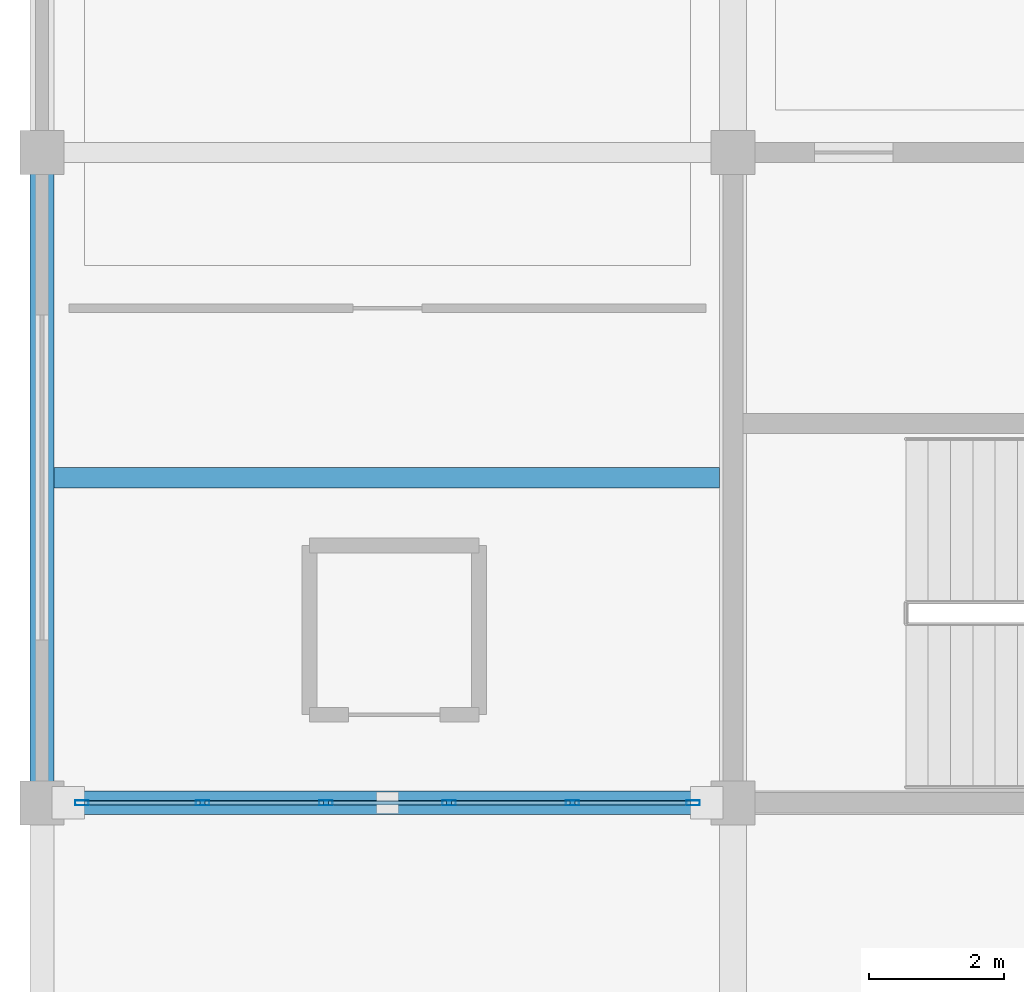
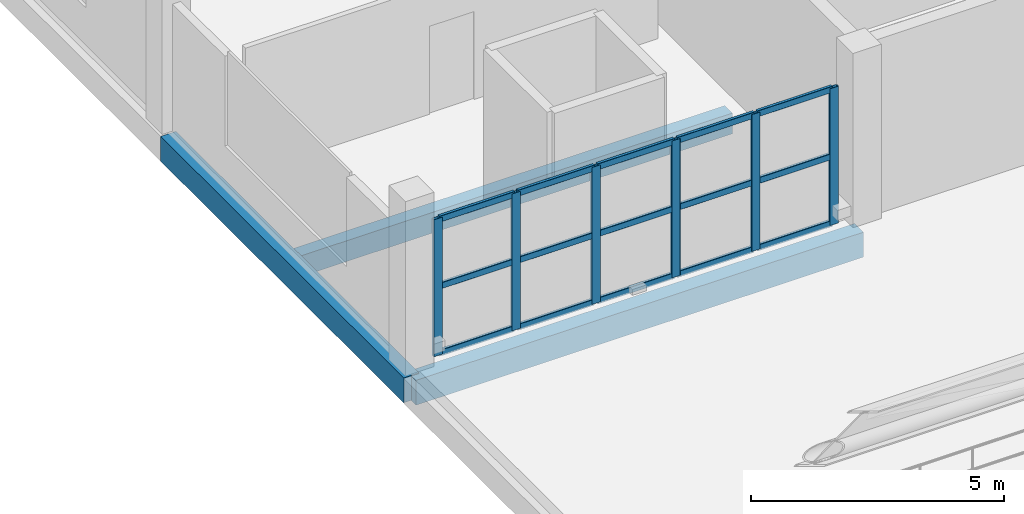
# One storey, part 32 of 135: 21 members, 3 beams, 1 element without a shape of its own.
"""IFC4 building model written with IfcOpenShell, lengths in metres."""

from ifc_helpers import new_model, si_unit, direction, frame, origin, origin_2d, place, context, subcontext, project, spatial, rectangle, hollow_rectangle, extrude, material, material_profile, profile_set, type_object, element, aggregate, save


model = new_model("IFC4")

# Units and contexts
model_context = context("Model", 3, precision=1e-05, world=origin(), true_north=direction((0.0, 1.0)))
body_context = subcontext(model_context, "Body", "Model", "MODEL_VIEW")
ifc_project = project(units=[si_unit("LENGTHUNIT", "METRE"), si_unit("AREAUNIT", "SQUARE_METRE"), si_unit("VOLUMEUNIT", "CUBIC_METRE"), si_unit("PLANEANGLEUNIT", "RADIAN"), si_unit("MASSUNIT", "GRAM", prefix="KILO")], contexts=[model_context])

# Site, building, storey
site_placement = place(None, origin())
site = spatial("IfcSite", under=ifc_project, at=site_placement, CompositionType="ELEMENT")
building_placement = place(site_placement, origin())
building = spatial("IfcBuilding", under=site, at=building_placement, Name="Brelvane Convention Centre", CompositionType="ELEMENT")
storey_placement = place(building_placement, frame((0.0, 0.0, 15.0)))
storey = spatial("IfcBuildingStorey", under=building, at=storey_placement, Name="L03", CompositionType="ELEMENT", Elevation=15.0)

# Curtain wall, members
ifc_material_1 = material(Name="Anodised Aluminium Alloy 6063-T6", Category="aluminium")
curtain_wall_type = type_object("IfcCurtainWallType", Name="Curtain Wall CW-COURT", PredefinedType="USERDEFINED", material=ifc_material_1)
curtain_wall_placement = place(storey_placement, origin())
curtain_wall = element("IfcCurtainWall", 1, at=curtain_wall_placement, inside=storey, type_object=curtain_wall_type, Name="Curtain Wall CW-COURT L03-V4S-01", ObjectType="UNITISED", PredefinedType="USERDEFINED")
ifc_material_2 = material(Name="Anodised Aluminium Alloy 6063-T6", Category="aluminium")
ifc_material_profile_1 = material_profile(ifc_material_2, hollow_rectangle(XDim=0.074951171875, YDim=0.199951171875, WallThickness=0.0048828125, InnerFilletRadius=0.0048828125, OuterFilletRadius=0.010009765625, at=origin_2d()), Name="ALU-M 200x75x5.0")
ifc_profile_set_1 = profile_set([ifc_material_profile_1], Name="Anodised Aluminium Alloy 6063-T6")
member_type_1 = type_object("IfcMemberType", Name="Curtain Mullion CW-M2", PredefinedType="MULLION", material=ifc_profile_set_1)
member_1_placement = place(storey_placement, frame((0.58740234375, 109.199951171875, 0.0), z_axis=(0.0, 0.0, 1.0), x_axis=(0.0, 1.0, 0.0)))
member_1 = element("IfcMember", 2, at=member_1_placement, type_object=member_type_1, Name="CW-COURT mullion 1", PredefinedType="MULLION", context=body_context, shape_type="SweptSolid", body=[
    extrude(hollow_rectangle(XDim=0.074951171875, YDim=0.199951171875, WallThickness=0.0048828125, InnerFilletRadius=0.0048828125, OuterFilletRadius=0.010009765625, at=origin_2d()), origin(), (0.0, 0.0, 1.0), 3.300048828125),
])
member_2_placement = place(storey_placement, frame((2.3701171875, 109.199951171875, 0.0), z_axis=(0.0, 0.0, 1.0), x_axis=(0.0, 1.0, 0.0)))
member_2 = element("IfcMember", 3, at=member_2_placement, type_object=member_type_1, Name="CW-COURT mullion 2", PredefinedType="MULLION", context=body_context, shape_type="SweptSolid", body=[
    extrude(hollow_rectangle(XDim=0.074951171875, YDim=0.199951171875, WallThickness=0.0048828125, InnerFilletRadius=0.0048828125, OuterFilletRadius=0.010009765625, at=origin_2d()), origin(), (0.0, 0.0, 1.0), 3.300048828125),
])
member_3_placement = place(storey_placement, frame((4.18994140625, 109.199951171875, 0.0), z_axis=(0.0, 0.0, 1.0), x_axis=(0.0, 1.0, 0.0)))
member_3 = element("IfcMember", 4, at=member_3_placement, type_object=member_type_1, Name="CW-COURT mullion 3", PredefinedType="MULLION", context=body_context, shape_type="SweptSolid", body=[
    extrude(hollow_rectangle(XDim=0.074951171875, YDim=0.199951171875, WallThickness=0.0048828125, InnerFilletRadius=0.0048828125, OuterFilletRadius=0.010009765625, at=origin_2d()), origin(), (0.0, 0.0, 1.0), 3.300048828125),
])
member_4_placement = place(storey_placement, frame((6.010009765625, 109.199951171875, 0.0), z_axis=(0.0, 0.0, 1.0), x_axis=(0.0, 1.0, 0.0)))
member_4 = element("IfcMember", 5, at=member_4_placement, type_object=member_type_1, Name="CW-COURT mullion 4", PredefinedType="MULLION", context=body_context, shape_type="SweptSolid", body=[
    extrude(hollow_rectangle(XDim=0.074951171875, YDim=0.199951171875, WallThickness=0.0048828125, InnerFilletRadius=0.0048828125, OuterFilletRadius=0.010009765625, at=origin_2d()), origin(), (0.0, 0.0, 1.0), 3.300048828125),
])
member_5_placement = place(storey_placement, frame((7.830078125, 109.199951171875, 0.0), z_axis=(0.0, 0.0, 1.0), x_axis=(0.0, 1.0, 0.0)))
member_5 = element("IfcMember", 6, at=member_5_placement, type_object=member_type_1, Name="CW-COURT mullion 5", PredefinedType="MULLION", context=body_context, shape_type="SweptSolid", body=[
    extrude(hollow_rectangle(XDim=0.074951171875, YDim=0.199951171875, WallThickness=0.0048828125, InnerFilletRadius=0.0048828125, OuterFilletRadius=0.010009765625, at=origin_2d()), origin(), (0.0, 0.0, 1.0), 3.300048828125),
])
member_6_placement = place(storey_placement, frame((9.612548828125, 109.199951171875, 0.0), z_axis=(0.0, 0.0, 1.0), x_axis=(0.0, 1.0, 0.0)))
member_6 = element("IfcMember", 7, at=member_6_placement, type_object=member_type_1, Name="CW-COURT mullion 6", PredefinedType="MULLION", context=body_context, shape_type="SweptSolid", body=[
    extrude(hollow_rectangle(XDim=0.074951171875, YDim=0.199951171875, WallThickness=0.0048828125, InnerFilletRadius=0.0048828125, OuterFilletRadius=0.010009765625, at=origin_2d()), origin(), (0.0, 0.0, 1.0), 3.300048828125),
])
ifc_material_3 = material(Name="Anodised Aluminium Alloy 6063-T6", Category="aluminium")
ifc_material_profile_2 = material_profile(ifc_material_3, hollow_rectangle(XDim=0.070068359375, YDim=0.14990234375, WallThickness=0.00439453125, InnerFilletRadius=0.00439453125, OuterFilletRadius=0.009033203125, at=origin_2d()), Name="ALU-T 150x70x4.5")
ifc_profile_set_2 = profile_set([ifc_material_profile_2], Name="Anodised Aluminium Alloy 6063-T6")
member_type_2 = type_object("IfcMemberType", Name="Curtain Transom CW-T2", PredefinedType="USERDEFINED", material=ifc_profile_set_2)
member_7_placement = place(storey_placement, frame((0.625, 109.199951171875, 0.034912109375), z_axis=(1.0, 0.0, 0.0), x_axis=(0.0, 1.0, 0.0)))
member_7 = element("IfcMember", 8, at=member_7_placement, type_object=member_type_2, Name="CW-COURT transom 1.1", ObjectType="TRANSOM", PredefinedType="USERDEFINED", context=body_context, shape_type="SweptSolid", body=[
    extrude(hollow_rectangle(XDim=0.070068359375, YDim=0.14990234375, WallThickness=0.00439453125, InnerFilletRadius=0.00439453125, OuterFilletRadius=0.009033203125, at=origin_2d()), origin(), (0.0, 0.0, 1.0), 1.70751953125),
])
member_8_placement = place(storey_placement, frame((0.625, 109.199951171875, 1.64990234375), z_axis=(1.0, 0.0, 0.0), x_axis=(0.0, 1.0, 0.0)))
member_8 = element("IfcMember", 9, at=member_8_placement, type_object=member_type_2, Name="CW-COURT transom 1.2", ObjectType="TRANSOM", PredefinedType="USERDEFINED", context=body_context, shape_type="SweptSolid", body=[
    extrude(hollow_rectangle(XDim=0.070068359375, YDim=0.14990234375, WallThickness=0.00439453125, InnerFilletRadius=0.00439453125, OuterFilletRadius=0.009033203125, at=origin_2d()), origin(), (0.0, 0.0, 1.0), 1.70751953125),
])
member_9_placement = place(storey_placement, frame((0.625, 109.199951171875, 3.264892578125), z_axis=(1.0, 0.0, 0.0), x_axis=(0.0, 1.0, 0.0)))
member_9 = element("IfcMember", 10, at=member_9_placement, type_object=member_type_2, Name="CW-COURT transom 1.3", ObjectType="TRANSOM", PredefinedType="USERDEFINED", context=body_context, shape_type="SweptSolid", body=[
    extrude(hollow_rectangle(XDim=0.070068359375, YDim=0.14990234375, WallThickness=0.00439453125, InnerFilletRadius=0.00439453125, OuterFilletRadius=0.009033203125, at=origin_2d()), origin(), (0.0, 0.0, 1.0), 1.70751953125),
])
member_10_placement = place(storey_placement, frame((2.407470703125, 109.199951171875, 0.034912109375), z_axis=(1.0, 0.0, 0.0), x_axis=(0.0, 1.0, 0.0)))
member_10 = element("IfcMember", 11, at=member_10_placement, type_object=member_type_2, Name="CW-COURT transom 2.1", ObjectType="TRANSOM", PredefinedType="USERDEFINED", context=body_context, shape_type="SweptSolid", body=[
    extrude(hollow_rectangle(XDim=0.070068359375, YDim=0.14990234375, WallThickness=0.00439453125, InnerFilletRadius=0.00439453125, OuterFilletRadius=0.009033203125, at=origin_2d()), origin(), (0.0, 0.0, 1.0), 1.7451171875),
])
member_11_placement = place(storey_placement, frame((2.407470703125, 109.199951171875, 1.64990234375), z_axis=(1.0, 0.0, 0.0), x_axis=(0.0, 1.0, 0.0)))
member_11 = element("IfcMember", 12, at=member_11_placement, type_object=member_type_2, Name="CW-COURT transom 2.2", ObjectType="TRANSOM", PredefinedType="USERDEFINED", context=body_context, shape_type="SweptSolid", body=[
    extrude(hollow_rectangle(XDim=0.070068359375, YDim=0.14990234375, WallThickness=0.00439453125, InnerFilletRadius=0.00439453125, OuterFilletRadius=0.009033203125, at=origin_2d()), origin(), (0.0, 0.0, 1.0), 1.7451171875),
])
member_12_placement = place(storey_placement, frame((2.407470703125, 109.199951171875, 3.264892578125), z_axis=(1.0, 0.0, 0.0), x_axis=(0.0, 1.0, 0.0)))
member_12 = element("IfcMember", 13, at=member_12_placement, type_object=member_type_2, Name="CW-COURT transom 2.3", ObjectType="TRANSOM", PredefinedType="USERDEFINED", context=body_context, shape_type="SweptSolid", body=[
    extrude(hollow_rectangle(XDim=0.070068359375, YDim=0.14990234375, WallThickness=0.00439453125, InnerFilletRadius=0.00439453125, OuterFilletRadius=0.009033203125, at=origin_2d()), origin(), (0.0, 0.0, 1.0), 1.7451171875),
])
member_13_placement = place(storey_placement, frame((4.2275390625, 109.199951171875, 0.034912109375), z_axis=(1.0, 0.0, 0.0), x_axis=(0.0, 1.0, 0.0)))
member_13 = element("IfcMember", 14, at=member_13_placement, type_object=member_type_2, Name="CW-COURT transom 3.1", ObjectType="TRANSOM", PredefinedType="USERDEFINED", context=body_context, shape_type="SweptSolid", body=[
    extrude(hollow_rectangle(XDim=0.070068359375, YDim=0.14990234375, WallThickness=0.00439453125, InnerFilletRadius=0.00439453125, OuterFilletRadius=0.009033203125, at=origin_2d()), origin(), (0.0, 0.0, 1.0), 1.744873046875),
])
member_14_placement = place(storey_placement, frame((4.2275390625, 109.199951171875, 1.64990234375), z_axis=(1.0, 0.0, 0.0), x_axis=(0.0, 1.0, 0.0)))
member_14 = element("IfcMember", 15, at=member_14_placement, type_object=member_type_2, Name="CW-COURT transom 3.2", ObjectType="TRANSOM", PredefinedType="USERDEFINED", context=body_context, shape_type="SweptSolid", body=[
    extrude(hollow_rectangle(XDim=0.070068359375, YDim=0.14990234375, WallThickness=0.00439453125, InnerFilletRadius=0.00439453125, OuterFilletRadius=0.009033203125, at=origin_2d()), origin(), (0.0, 0.0, 1.0), 1.744873046875),
])
member_15_placement = place(storey_placement, frame((4.2275390625, 109.199951171875, 3.264892578125), z_axis=(1.0, 0.0, 0.0), x_axis=(0.0, 1.0, 0.0)))
member_15 = element("IfcMember", 16, at=member_15_placement, type_object=member_type_2, Name="CW-COURT transom 3.3", ObjectType="TRANSOM", PredefinedType="USERDEFINED", context=body_context, shape_type="SweptSolid", body=[
    extrude(hollow_rectangle(XDim=0.070068359375, YDim=0.14990234375, WallThickness=0.00439453125, InnerFilletRadius=0.00439453125, OuterFilletRadius=0.009033203125, at=origin_2d()), origin(), (0.0, 0.0, 1.0), 1.744873046875),
])
member_16_placement = place(storey_placement, frame((6.047607421875, 109.199951171875, 0.034912109375), z_axis=(1.0, 0.0, 0.0), x_axis=(0.0, 1.0, 0.0)))
member_16 = element("IfcMember", 17, at=member_16_placement, type_object=member_type_2, Name="CW-COURT transom 4.1", ObjectType="TRANSOM", PredefinedType="USERDEFINED", context=body_context, shape_type="SweptSolid", body=[
    extrude(hollow_rectangle(XDim=0.070068359375, YDim=0.14990234375, WallThickness=0.00439453125, InnerFilletRadius=0.00439453125, OuterFilletRadius=0.009033203125, at=origin_2d()), origin(), (0.0, 0.0, 1.0), 1.744873046875),
])
member_17_placement = place(storey_placement, frame((6.047607421875, 109.199951171875, 1.64990234375), z_axis=(1.0, 0.0, 0.0), x_axis=(0.0, 1.0, 0.0)))
member_17 = element("IfcMember", 18, at=member_17_placement, type_object=member_type_2, Name="CW-COURT transom 4.2", ObjectType="TRANSOM", PredefinedType="USERDEFINED", context=body_context, shape_type="SweptSolid", body=[
    extrude(hollow_rectangle(XDim=0.070068359375, YDim=0.14990234375, WallThickness=0.00439453125, InnerFilletRadius=0.00439453125, OuterFilletRadius=0.009033203125, at=origin_2d()), origin(), (0.0, 0.0, 1.0), 1.744873046875),
])
member_18_placement = place(storey_placement, frame((6.047607421875, 109.199951171875, 3.264892578125), z_axis=(1.0, 0.0, 0.0), x_axis=(0.0, 1.0, 0.0)))
member_18 = element("IfcMember", 19, at=member_18_placement, type_object=member_type_2, Name="CW-COURT transom 4.3", ObjectType="TRANSOM", PredefinedType="USERDEFINED", context=body_context, shape_type="SweptSolid", body=[
    extrude(hollow_rectangle(XDim=0.070068359375, YDim=0.14990234375, WallThickness=0.00439453125, InnerFilletRadius=0.00439453125, OuterFilletRadius=0.009033203125, at=origin_2d()), origin(), (0.0, 0.0, 1.0), 1.744873046875),
])
member_19_placement = place(storey_placement, frame((7.867431640625, 109.199951171875, 0.034912109375), z_axis=(1.0, 0.0, 0.0), x_axis=(0.0, 1.0, 0.0)))
member_19 = element("IfcMember", 20, at=member_19_placement, type_object=member_type_2, Name="CW-COURT transom 5.1", ObjectType="TRANSOM", PredefinedType="USERDEFINED", context=body_context, shape_type="SweptSolid", body=[
    extrude(hollow_rectangle(XDim=0.070068359375, YDim=0.14990234375, WallThickness=0.00439453125, InnerFilletRadius=0.00439453125, OuterFilletRadius=0.009033203125, at=origin_2d()), origin(), (0.0, 0.0, 1.0), 1.70751953125),
])
member_20_placement = place(storey_placement, frame((7.867431640625, 109.199951171875, 1.64990234375), z_axis=(1.0, 0.0, 0.0), x_axis=(0.0, 1.0, 0.0)))
member_20 = element("IfcMember", 21, at=member_20_placement, type_object=member_type_2, Name="CW-COURT transom 5.2", ObjectType="TRANSOM", PredefinedType="USERDEFINED", context=body_context, shape_type="SweptSolid", body=[
    extrude(hollow_rectangle(XDim=0.070068359375, YDim=0.14990234375, WallThickness=0.00439453125, InnerFilletRadius=0.00439453125, OuterFilletRadius=0.009033203125, at=origin_2d()), origin(), (0.0, 0.0, 1.0), 1.70751953125),
])
member_21_placement = place(storey_placement, frame((7.867431640625, 109.199951171875, 3.264892578125), z_axis=(1.0, 0.0, 0.0), x_axis=(0.0, 1.0, 0.0)))
member_21 = element("IfcMember", 22, at=member_21_placement, type_object=member_type_2, Name="CW-COURT transom 5.3", ObjectType="TRANSOM", PredefinedType="USERDEFINED", context=body_context, shape_type="SweptSolid", body=[
    extrude(hollow_rectangle(XDim=0.070068359375, YDim=0.14990234375, WallThickness=0.00439453125, InnerFilletRadius=0.00439453125, OuterFilletRadius=0.009033203125, at=origin_2d()), origin(), (0.0, 0.0, 1.0), 1.70751953125),
])
aggregate(curtain_wall, [member_1, member_2, member_3, member_4, member_5, member_6, member_7, member_8, member_9, member_10, member_11, member_12, member_13, member_14, member_15, member_16, member_17, member_18, member_19, member_20, member_21])

# Beams
ifc_material_4 = material(Name="Concrete M40", Category="concrete")
ifc_material_profile_3 = material_profile(ifc_material_4, rectangle(XDim=0.300048828125, YDim=0.5, at=origin_2d()), Name="RC 300x500")
ifc_profile_set_3 = profile_set([ifc_material_profile_3], Name="Concrete M40")
beam_type_1 = type_object("IfcBeamType", Name="RC Joist J-RC2 (RC 300x500)", PredefinedType="JOIST", material=ifc_profile_set_3)
beam_1_placement = place(storey_placement, frame((0.175048828125, 114.0, -0.544921875), z_axis=(1.0, 0.0, 0.0), x_axis=(0.0, 1.0, 0.0)))
element("IfcBeam", 23, at=beam_1_placement, inside=storey, type_object=beam_type_1, Name="L03 Secondary Joist 1-2/LM", PredefinedType="JOIST", context=body_context, shape_type="SweptSolid", body=[
    extrude(rectangle(XDim=0.300048828125, YDim=0.5, at=origin_2d()), origin(), (0.0, 0.0, 1.0), 9.824951171875),
])
ifc_material_5 = material(Name="Concrete M40", Category="concrete")
ifc_material_profile_4 = material_profile(ifc_material_5, rectangle(XDim=0.35009765625, YDim=0.60009765625, at=origin_2d()), Name="RC 350x600")
ifc_profile_set_4 = profile_set([ifc_material_profile_4], Name="Concrete M40")
beam_type_2 = type_object("IfcBeamType", Name="RC Spandrel SP-RC2 (RC 350x600)", PredefinedType="SPANDREL", material=ifc_profile_set_4)
beam_2_placement = place(storey_placement, frame((0.0, 109.199951171875, -0.610107421875), z_axis=(1.0, 0.0, 0.0), x_axis=(0.0, 1.0, 0.0)))
element("IfcBeam", 24, at=beam_2_placement, inside=storey, type_object=beam_type_2, Name="L03 Beam 1-2/L", PredefinedType="SPANDREL", context=body_context, shape_type="SweptSolid", body=[
    extrude(rectangle(XDim=0.35009765625, YDim=0.60009765625, at=origin_2d()), origin(), (0.0, 0.0, 1.0), 10.199951171875),
])
beam_3_placement = place(storey_placement, frame((0.0, 109.199951171875, -0.594970703125), z_axis=(0.0, 1.0, 0.0), x_axis=(-1.0, 0.0, 0.0)))
element("IfcBeam", 25, at=beam_3_placement, inside=storey, type_object=beam_type_2, Name="L03 Girder 1/L-M", PredefinedType="SPANDREL", context=body_context, shape_type="SweptSolid", body=[
    extrude(rectangle(XDim=0.35009765625, YDim=0.60009765625, at=origin_2d()), origin(), (0.0, 0.0, 1.0), 9.60009765625),
])

save(model, "model.ifc")
